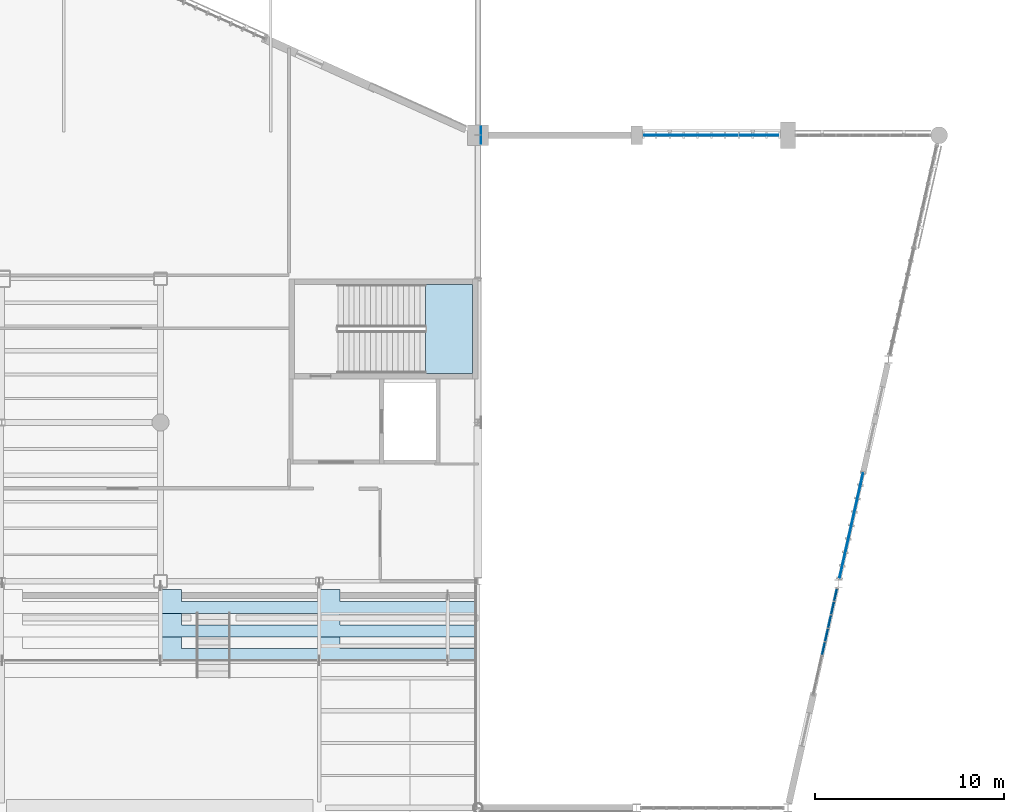
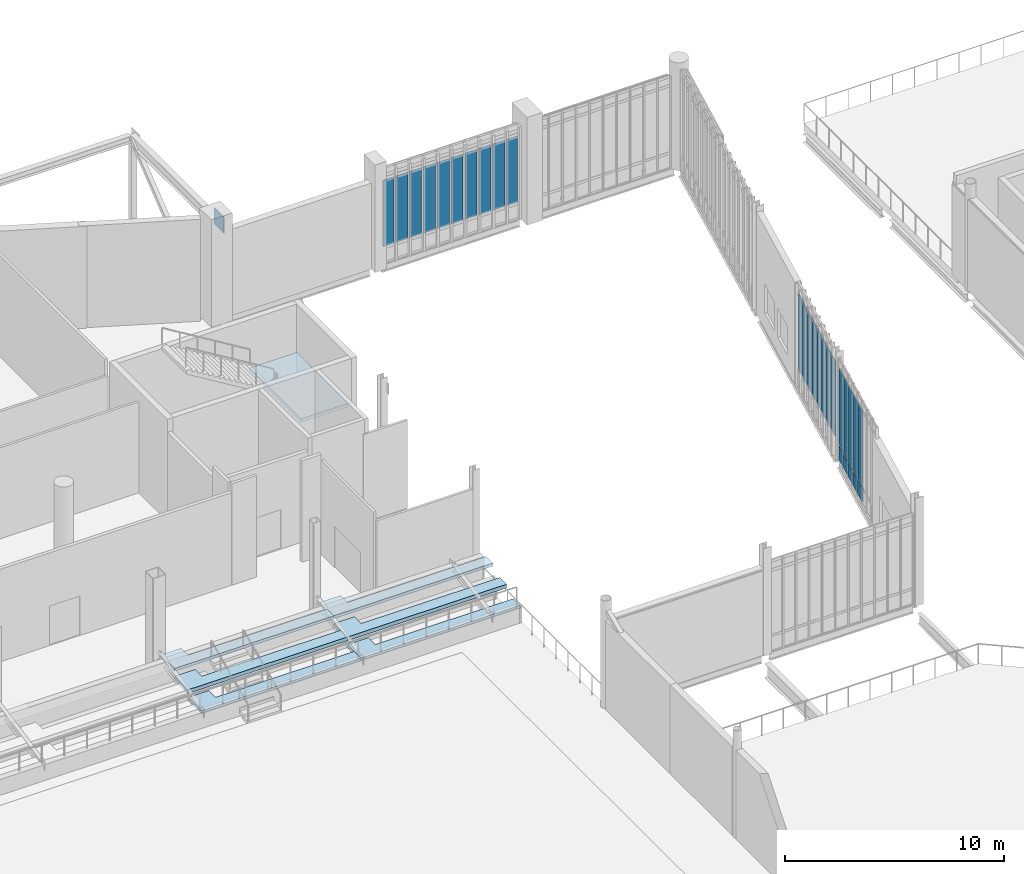
# One storey, part 76 of 135: 29 plates, 7 slabs, 4 elements without a shape of their own.
"""IFC4 building model written with IfcOpenShell, lengths in metres."""

from ifc_helpers import new_model, si_unit, direction, frame, origin, origin_2d, place, context, subcontext, project, spatial, polyline, rectangle, outline, extrude, material, layer, layer_set, type_object, element, aggregate, save


model = new_model("IFC4")

# Units and contexts
model_context = context("Model", 3, precision=1e-05, world=origin(), true_north=direction((0.0, 1.0)))
body_context = subcontext(model_context, "Body", "Model", "MODEL_VIEW")
ifc_project = project(units=[si_unit("LENGTHUNIT", "METRE"), si_unit("AREAUNIT", "SQUARE_METRE"), si_unit("VOLUMEUNIT", "CUBIC_METRE"), si_unit("PLANEANGLEUNIT", "RADIAN"), si_unit("MASSUNIT", "GRAM", prefix="KILO")], contexts=[model_context])

# Site, building, storey
site_placement = place(None, origin())
site = spatial("IfcSite", under=ifc_project, at=site_placement, CompositionType="ELEMENT")
building_placement = place(site_placement, origin())
building = spatial("IfcBuilding", under=site, at=building_placement, Name="Larkvane Passage Sports Hall", CompositionType="ELEMENT")
storey_placement = place(building_placement, frame((0.0, 0.0, 10.800048828125)))
storey = spatial("IfcBuildingStorey", under=building, at=storey_placement, Name="L02", CompositionType="ELEMENT", Elevation=10.800048828125)

# Curtain wall, plates
ifc_material_1 = material(Name="Thermally broken aluminium and low-E glazing", Category="aluminium")
curtain_wall_type_1 = type_object("IfcCurtainWallType", Name="CW-UNIT-COURT", PredefinedType="USERDEFINED", material=ifc_material_1)
curtain_wall_1_placement = place(storey_placement, origin())
curtain_wall_1 = element("IfcCurtainWall", 1, at=curtain_wall_1_placement, inside=storey, type_object=curtain_wall_type_1, Name="Curtain wall CW5-L02-084", ObjectType="UNITISED CURTAIN WALL", PredefinedType="USERDEFINED")
ifc_material_2 = material(Name="Insulated aluminium spandrel panel", Category="aluminium")
ifc_layer_1 = layer(ifc_material_2, 0.06494140625)
ifc_layer_set_1 = layer_set([ifc_layer_1], Name="Insulated aluminium spandrel panel")
plate_type_1 = type_object("IfcPlateType", Name="CWP-SPD-65", PredefinedType="CURTAIN_PANEL", material=ifc_layer_set_1)
plate_1_placement = place(storey_placement, frame((112.532470703125, 74.8701171875, 0.06005859375), z_axis=(0.0, 0.0, 1.0), x_axis=(-0.219243647747, -0.975670140428, 0.0)))
plate_1 = element("IfcPlate", 2, at=plate_1_placement, type_object=plate_type_1, Name="CW-01 panel 1.1", PredefinedType="CURTAIN_PANEL", context=body_context, shape_type="SweptSolid", body=[
    extrude(rectangle(XDim=0.64111328125, YDim=0.06494140625, at=origin_2d()), origin(), (0.0, 0.0, 1.0), 0.760009765625),
])
plate_2_placement = place(storey_placement, frame((112.37548828125, 74.17138671875, 0.06005859375), z_axis=(0.0, 0.0, 1.0), x_axis=(-0.219243647747, -0.975670140428, 0.0)))
plate_2 = element("IfcPlate", 3, at=plate_2_placement, type_object=plate_type_1, Name="CW-01 panel 2.1", PredefinedType="CURTAIN_PANEL", context=body_context, shape_type="SweptSolid", body=[
    extrude(rectangle(XDim=0.671142578125, YDim=0.06494140625, at=origin_2d()), origin(), (0.0, 0.0, 1.0), 0.760009765625),
])
plate_3_placement = place(storey_placement, frame((112.21533203125, 73.458251953125, 0.06005859375), z_axis=(0.0, 0.0, 1.0), x_axis=(-0.219243647747, -0.975670140428, 0.0)))
plate_3 = element("IfcPlate", 4, at=plate_3_placement, type_object=plate_type_1, Name="CW-01 panel 3.1", PredefinedType="CURTAIN_PANEL", context=body_context, shape_type="SweptSolid", body=[
    extrude(rectangle(XDim=0.671142578125, YDim=0.06494140625, at=origin_2d()), origin(), (0.0, 0.0, 1.0), 0.760009765625),
])
plate_4_placement = place(storey_placement, frame((112.054931640625, 72.744873046875, 0.06005859375), z_axis=(0.0, 0.0, 1.0), x_axis=(-0.219243647747, -0.975670140428, 0.0)))
plate_4 = element("IfcPlate", 5, at=plate_4_placement, type_object=plate_type_1, Name="CW-01 panel 4.1", PredefinedType="CURTAIN_PANEL", context=body_context, shape_type="SweptSolid", body=[
    extrude(rectangle(XDim=0.671142578125, YDim=0.06494140625, at=origin_2d()), origin(), (0.0, 0.0, 1.0), 0.760009765625),
])
plate_5_placement = place(storey_placement, frame((111.894775390625, 72.03173828125, 0.06005859375), z_axis=(0.0, 0.0, 1.0), x_axis=(-0.219243647747, -0.975670140428, 0.0)))
plate_5 = element("IfcPlate", 6, at=plate_5_placement, type_object=plate_type_1, Name="CW-01 panel 5.1", PredefinedType="CURTAIN_PANEL", context=body_context, shape_type="SweptSolid", body=[
    extrude(rectangle(XDim=0.671142578125, YDim=0.06494140625, at=origin_2d()), origin(), (0.0, 0.0, 1.0), 0.760009765625),
])
ifc_material_3 = material(Name="Solar-control low-E double glazing", Category="glass")
ifc_layer_2 = layer(ifc_material_3, 0.028076171875)
ifc_layer_set_2 = layer_set([ifc_layer_2], Name="Solar-control low-E double glazing")
plate_type_2 = type_object("IfcPlateType", Name="CWP-VIS-28", PredefinedType="CURTAIN_PANEL", material=ifc_layer_set_2)
plate_6_placement = place(storey_placement, frame((112.532470703125, 74.8701171875, 0.8798828125), z_axis=(0.0, 0.0, 1.0), x_axis=(-0.219243647747, -0.975670140428, 0.0)))
plate_6 = element("IfcPlate", 7, at=plate_6_placement, type_object=plate_type_2, Name="CW-01 panel 1.2", PredefinedType="CURTAIN_PANEL", context=body_context, shape_type="SweptSolid", body=[
    extrude(rectangle(XDim=0.64111328125, YDim=0.028076171875, at=origin_2d()), origin(), (0.0, 0.0, 1.0), 4.239990234375),
])
plate_7_placement = place(storey_placement, frame((112.37548828125, 74.17138671875, 0.8798828125), z_axis=(0.0, 0.0, 1.0), x_axis=(-0.219243647747, -0.975670140428, 0.0)))
plate_7 = element("IfcPlate", 8, at=plate_7_placement, type_object=plate_type_2, Name="CW-01 panel 2.2", PredefinedType="CURTAIN_PANEL", context=body_context, shape_type="SweptSolid", body=[
    extrude(rectangle(XDim=0.671142578125, YDim=0.028076171875, at=origin_2d()), origin(), (0.0, 0.0, 1.0), 4.239990234375),
])
plate_8_placement = place(storey_placement, frame((112.21533203125, 73.458251953125, 0.8798828125), z_axis=(0.0, 0.0, 1.0), x_axis=(-0.219243647747, -0.975670140428, 0.0)))
plate_8 = element("IfcPlate", 9, at=plate_8_placement, type_object=plate_type_2, Name="CW-01 panel 3.2", PredefinedType="CURTAIN_PANEL", context=body_context, shape_type="SweptSolid", body=[
    extrude(rectangle(XDim=0.671142578125, YDim=0.028076171875, at=origin_2d()), origin(), (0.0, 0.0, 1.0), 4.239990234375),
])
plate_9_placement = place(storey_placement, frame((112.054931640625, 72.744873046875, 0.8798828125), z_axis=(0.0, 0.0, 1.0), x_axis=(-0.219243647747, -0.975670140428, 0.0)))
plate_9 = element("IfcPlate", 10, at=plate_9_placement, type_object=plate_type_2, Name="CW-01 panel 4.2", PredefinedType="CURTAIN_PANEL", context=body_context, shape_type="SweptSolid", body=[
    extrude(rectangle(XDim=0.671142578125, YDim=0.028076171875, at=origin_2d()), origin(), (0.0, 0.0, 1.0), 4.239990234375),
])
plate_10_placement = place(storey_placement, frame((111.894775390625, 72.03173828125, 0.8798828125), z_axis=(0.0, 0.0, 1.0), x_axis=(-0.219243647747, -0.975670140428, 0.0)))
plate_10 = element("IfcPlate", 11, at=plate_10_placement, type_object=plate_type_2, Name="CW-01 panel 5.2", PredefinedType="CURTAIN_PANEL", context=body_context, shape_type="SweptSolid", body=[
    extrude(rectangle(XDim=0.671142578125, YDim=0.028076171875, at=origin_2d()), origin(), (0.0, 0.0, 1.0), 4.239990234375),
])
aggregate(curtain_wall_1, [plate_1, plate_6, plate_2, plate_7, plate_3, plate_8, plate_4, plate_9, plate_5, plate_10])

curtain_wall_type_2 = type_object("IfcCurtainWallType", Name="CW-CLINIC", PredefinedType="USERDEFINED", material=ifc_material_1)
curtain_wall_2_placement = place(storey_placement, origin())
curtain_wall_2 = element("IfcCurtainWall", 12, at=curtain_wall_2_placement, inside=storey, type_object=curtain_wall_type_2, Name="Curtain wall CW5-L02-079", ObjectType="UNITISED CURTAIN WALL", PredefinedType="USERDEFINED")
ifc_material_4 = material(Name="Triple-laminated typhoon glazing", Category="glass")
ifc_layer_3 = layer(ifc_material_4, 0.0419921875)
ifc_layer_set_3 = layer_set([ifc_layer_3], Name="Triple-laminated typhoon glazing")
plate_type_3 = type_object("IfcPlateType", Name="CWP-VIS-42", PredefinedType="CURTAIN_PANEL", material=ifc_layer_set_3)
plate_11_placement = place(storey_placement, frame((102.68896484375, 99.199951171875, 0.905029296875), z_axis=(0.0, 0.0, 1.0), x_axis=(1.0, 0.0, 0.0)))
plate_11 = element("IfcPlate", 13, at=plate_11_placement, type_object=plate_type_3, Name="CW-05 panel 1.2", PredefinedType="CURTAIN_PANEL", context=body_context, shape_type="SweptSolid", body=[
    extrude(rectangle(XDim=0.56591796875, YDim=0.0419921875, at=origin_2d()), origin(), (0.0, 0.0, 1.0), 3.68798828125),
])
plate_12_placement = place(storey_placement, frame((103.39208984375, 99.199951171875, 0.905029296875), z_axis=(0.0, 0.0, 1.0), x_axis=(1.0, 0.0, 0.0)))
plate_12 = element("IfcPlate", 14, at=plate_12_placement, type_object=plate_type_3, Name="CW-05 panel 2.2", PredefinedType="CURTAIN_PANEL", context=body_context, shape_type="SweptSolid", body=[
    extrude(rectangle(XDim=0.620849609375, YDim=0.0419921875, at=origin_2d()), origin(), (0.0, 0.0, 1.0), 3.68798828125),
])
plate_13_placement = place(storey_placement, frame((104.123046875, 99.199951171875, 0.905029296875), z_axis=(0.0, 0.0, 1.0), x_axis=(1.0, 0.0, 0.0)))
plate_13 = element("IfcPlate", 15, at=plate_13_placement, type_object=plate_type_3, Name="CW-05 panel 3.2", PredefinedType="CURTAIN_PANEL", context=body_context, shape_type="SweptSolid", body=[
    extrude(rectangle(XDim=0.620849609375, YDim=0.0419921875, at=origin_2d()), origin(), (0.0, 0.0, 1.0), 3.68798828125),
])
plate_14_placement = place(storey_placement, frame((104.853759765625, 99.199951171875, 0.905029296875), z_axis=(0.0, 0.0, 1.0), x_axis=(1.0, 0.0, 0.0)))
plate_14 = element("IfcPlate", 16, at=plate_14_placement, type_object=plate_type_3, Name="CW-05 panel 4.2", PredefinedType="CURTAIN_PANEL", context=body_context, shape_type="SweptSolid", body=[
    extrude(rectangle(XDim=0.620849609375, YDim=0.0419921875, at=origin_2d()), origin(), (0.0, 0.0, 1.0), 3.68798828125),
])
plate_15_placement = place(storey_placement, frame((105.584716796875, 99.199951171875, 0.905029296875), z_axis=(0.0, 0.0, 1.0), x_axis=(1.0, 0.0, 0.0)))
plate_15 = element("IfcPlate", 17, at=plate_15_placement, type_object=plate_type_3, Name="CW-05 panel 5.2", PredefinedType="CURTAIN_PANEL", context=body_context, shape_type="SweptSolid", body=[
    extrude(rectangle(XDim=0.620849609375, YDim=0.0419921875, at=origin_2d()), origin(), (0.0, 0.0, 1.0), 3.68798828125),
])
plate_16_placement = place(storey_placement, frame((106.3154296875, 99.199951171875, 0.905029296875), z_axis=(0.0, 0.0, 1.0), x_axis=(1.0, 0.0, 0.0)))
plate_16 = element("IfcPlate", 18, at=plate_16_placement, type_object=plate_type_3, Name="CW-05 panel 6.2", PredefinedType="CURTAIN_PANEL", context=body_context, shape_type="SweptSolid", body=[
    extrude(rectangle(XDim=0.620849609375, YDim=0.0419921875, at=origin_2d()), origin(), (0.0, 0.0, 1.0), 3.68798828125),
])
plate_17_placement = place(storey_placement, frame((107.046142578125, 99.199951171875, 0.905029296875), z_axis=(0.0, 0.0, 1.0), x_axis=(1.0, 0.0, 0.0)))
plate_17 = element("IfcPlate", 19, at=plate_17_placement, type_object=plate_type_3, Name="CW-05 panel 7.2", PredefinedType="CURTAIN_PANEL", context=body_context, shape_type="SweptSolid", body=[
    extrude(rectangle(XDim=0.620849609375, YDim=0.0419921875, at=origin_2d()), origin(), (0.0, 0.0, 1.0), 3.68798828125),
])
plate_18_placement = place(storey_placement, frame((107.777099609375, 99.199951171875, 0.905029296875), z_axis=(0.0, 0.0, 1.0), x_axis=(1.0, 0.0, 0.0)))
plate_18 = element("IfcPlate", 20, at=plate_18_placement, type_object=plate_type_3, Name="CW-05 panel 8.2", PredefinedType="CURTAIN_PANEL", context=body_context, shape_type="SweptSolid", body=[
    extrude(rectangle(XDim=0.620849609375, YDim=0.0419921875, at=origin_2d()), origin(), (0.0, 0.0, 1.0), 3.68798828125),
])
plate_19_placement = place(storey_placement, frame((108.5078125, 99.199951171875, 0.905029296875), z_axis=(0.0, 0.0, 1.0), x_axis=(1.0, 0.0, 0.0)))
plate_19 = element("IfcPlate", 21, at=plate_19_placement, type_object=plate_type_3, Name="CW-05 panel 9.2", PredefinedType="CURTAIN_PANEL", context=body_context, shape_type="SweptSolid", body=[
    extrude(rectangle(XDim=0.620849609375, YDim=0.0419921875, at=origin_2d()), origin(), (0.0, 0.0, 1.0), 3.68798828125),
])
plate_20_placement = place(storey_placement, frame((109.211181640625, 99.199951171875, 0.905029296875), z_axis=(0.0, 0.0, 1.0), x_axis=(1.0, 0.0, 0.0)))
plate_20 = element("IfcPlate", 22, at=plate_20_placement, type_object=plate_type_3, Name="CW-05 panel 10.2", PredefinedType="CURTAIN_PANEL", context=body_context, shape_type="SweptSolid", body=[
    extrude(rectangle(XDim=0.56591796875, YDim=0.0419921875, at=origin_2d()), origin(), (0.0, 0.0, 1.0), 3.68798828125),
])
aggregate(curtain_wall_2, [plate_11, plate_12, plate_13, plate_14, plate_15, plate_16, plate_17, plate_18, plate_19, plate_20])

curtain_wall_3_placement = place(storey_placement, origin())
curtain_wall_3 = element("IfcCurtainWall", 23, at=curtain_wall_3_placement, inside=storey, type_object=curtain_wall_type_2, Name="Curtain wall CW5-L02-083", ObjectType="UNITISED CURTAIN WALL", PredefinedType="USERDEFINED")
plate_21_placement = place(storey_placement, frame((113.91455078125, 81.019287109375, 0.89990234375), z_axis=(0.0, 0.0, 1.0), x_axis=(-0.219244189156, -0.975670018767, 0.0)))
plate_21 = element("IfcPlate", 24, at=plate_21_placement, type_object=plate_type_3, Name="CW-05 panel 1.2", PredefinedType="CURTAIN_PANEL", context=body_context, shape_type="SweptSolid", body=[
    extrude(rectangle(XDim=0.580322265625, YDim=0.0419921875, at=origin_2d()), origin(), (0.0, 0.0, 1.0), 4.199951171875),
])
plate_22_placement = place(storey_placement, frame((113.759765625, 80.331298828125, 0.89990234375), z_axis=(0.0, 0.0, 1.0), x_axis=(-0.219244189156, -0.975670018767, 0.0)))
plate_22 = element("IfcPlate", 25, at=plate_22_placement, type_object=plate_type_3, Name="CW-05 panel 2.2", PredefinedType="CURTAIN_PANEL", context=body_context, shape_type="SweptSolid", body=[
    extrude(rectangle(XDim=0.63037109375, YDim=0.0419921875, at=origin_2d()), origin(), (0.0, 0.0, 1.0), 4.199951171875),
])
plate_23_placement = place(storey_placement, frame((113.599609375, 79.61865234375, 0.89990234375), z_axis=(0.0, 0.0, 1.0), x_axis=(-0.219244189156, -0.975670018767, 0.0)))
plate_23 = element("IfcPlate", 26, at=plate_23_placement, type_object=plate_type_3, Name="CW-05 panel 3.2", PredefinedType="CURTAIN_PANEL", context=body_context, shape_type="SweptSolid", body=[
    extrude(rectangle(XDim=0.63037109375, YDim=0.0419921875, at=origin_2d()), origin(), (0.0, 0.0, 1.0), 4.199951171875),
])
plate_24_placement = place(storey_placement, frame((113.439697265625, 78.90625, 0.89990234375), z_axis=(0.0, 0.0, 1.0), x_axis=(-0.219244189156, -0.975670018767, 0.0)))
plate_24 = element("IfcPlate", 27, at=plate_24_placement, type_object=plate_type_3, Name="CW-05 panel 4.2", PredefinedType="CURTAIN_PANEL", context=body_context, shape_type="SweptSolid", body=[
    extrude(rectangle(XDim=0.63037109375, YDim=0.0419921875, at=origin_2d()), origin(), (0.0, 0.0, 1.0), 4.199951171875),
])
plate_25_placement = place(storey_placement, frame((113.279541015625, 78.193603515625, 0.89990234375), z_axis=(0.0, 0.0, 1.0), x_axis=(-0.219244189156, -0.975670018767, 0.0)))
plate_25 = element("IfcPlate", 28, at=plate_25_placement, type_object=plate_type_3, Name="CW-05 panel 5.2", PredefinedType="CURTAIN_PANEL", context=body_context, shape_type="SweptSolid", body=[
    extrude(rectangle(XDim=0.63037109375, YDim=0.0419921875, at=origin_2d()), origin(), (0.0, 0.0, 1.0), 4.199951171875),
])
plate_26_placement = place(storey_placement, frame((113.119384765625, 77.481201171875, 0.89990234375), z_axis=(0.0, 0.0, 1.0), x_axis=(-0.219244189156, -0.975670018767, 0.0)))
plate_26 = element("IfcPlate", 29, at=plate_26_placement, type_object=plate_type_3, Name="CW-05 panel 6.2", PredefinedType="CURTAIN_PANEL", context=body_context, shape_type="SweptSolid", body=[
    extrude(rectangle(XDim=0.63037109375, YDim=0.0419921875, at=origin_2d()), origin(), (0.0, 0.0, 1.0), 4.199951171875),
])
plate_27_placement = place(storey_placement, frame((112.959228515625, 76.7685546875, 0.89990234375), z_axis=(0.0, 0.0, 1.0), x_axis=(-0.219244189156, -0.975670018767, 0.0)))
plate_27 = element("IfcPlate", 30, at=plate_27_placement, type_object=plate_type_3, Name="CW-05 panel 7.2", PredefinedType="CURTAIN_PANEL", context=body_context, shape_type="SweptSolid", body=[
    extrude(rectangle(XDim=0.63037109375, YDim=0.0419921875, at=origin_2d()), origin(), (0.0, 0.0, 1.0), 4.199951171875),
])
plate_28_placement = place(storey_placement, frame((112.8046875, 76.08056640625, 0.89990234375), z_axis=(0.0, 0.0, 1.0), x_axis=(-0.219244189156, -0.975670018767, 0.0)))
plate_28 = element("IfcPlate", 31, at=plate_28_placement, type_object=plate_type_3, Name="CW-05 panel 8.2", PredefinedType="CURTAIN_PANEL", context=body_context, shape_type="SweptSolid", body=[
    extrude(rectangle(XDim=0.580322265625, YDim=0.0419921875, at=origin_2d()), origin(), (0.0, 0.0, 1.0), 4.199951171875),
])
aggregate(curtain_wall_3, [plate_21, plate_22, plate_23, plate_24, plate_25, plate_26, plate_27, plate_28])

# Plate
ifc_material_5 = material(Name="Steel S460N", Category="steel")
ifc_layer_4 = layer(ifc_material_5, 0.031982421875)
ifc_layer_set_4 = layer_set([ifc_layer_4], Name="Steel S460N")
plate_type_4 = type_object("IfcPlateType", Name="PLT-GUS-32", PredefinedType="USERDEFINED", material=ifc_layer_set_4)
plate_29_placement = place(storey_placement, frame((93.76611328125, 99.199951171875, 4.93603515625), z_axis=(0.0, 0.0, 1.0), x_axis=(0.0, 1.0, 0.0)))
element("IfcPlate", 32, at=plate_29_placement, inside=storey, type_object=plate_type_4, Name="Truss node gusset plate ND-3T (CT-N2A-2)", ObjectType="GUSSET PLATE", PredefinedType="USERDEFINED", context=body_context, shape_type="SweptSolid", body=[
    extrude(rectangle(XDim=0.89990234375, YDim=0.031982421875, at=origin_2d()), origin(), (0.0, 0.0, 1.0), 0.89990234375),
])

# Stair, slab
ifc_material_6 = material(Name="Concrete C40/50", Category="concrete")
stair_type = type_object("IfcStairType", Name="STR-CORE-2250", PredefinedType="HALF_TURN_STAIR", material=ifc_material_6)
stair_placement = place(storey_placement, origin())
stair = element("IfcStair", 33, at=stair_placement, inside=storey, type_object=stair_type, Name="L02 Protected exit stair ST-03", PredefinedType="HALF_TURN_STAIR")
ifc_layer_5 = layer(ifc_material_6, 0.199951171875)
ifc_layer_set_5 = layer_set([ifc_layer_5], Name="Concrete C40/50")
slab_type_1 = type_object("IfcSlabType", Name="SLB-LAND-200", PredefinedType="LANDING", material=ifc_layer_set_5)
slab_1_placement = place(storey_placement, frame((0.0, 0.0, 2.800048828125)))
slab_1 = element("IfcSlab", 34, at=slab_1_placement, type_object=slab_type_1, Name="ST-03 landing 1", PredefinedType="LANDING", context=body_context, shape_type="SweptSolid", body=[
    extrude(outline(polyline([(90.820068359375, 86.60009765625), (93.300048828125, 86.60009765625), (93.300048828125, 91.300048828125), (90.820068359375, 91.300048828125), (90.820068359375, 86.60009765625)])), origin(), (0.0, 0.0, 1.0), 0.199951171875),
])
aggregate(stair, [slab_1])

# Slabs
ifc_material_7 = material(Name="Precast concrete C45/55", Category="concrete")
ifc_layer_6 = layer(ifc_material_7, 0.159912109375)
ifc_layer_set_6 = layer_set([ifc_layer_6], Name="Precast concrete C45/55")
slab_type_2 = type_object("IfcSlabType", Name="SLB-TIER-160", PredefinedType="USERDEFINED", material=ifc_layer_set_6)
slab_2_placement = place(storey_placement, frame((0.0, 0.0, 0.68994140625)))
element("IfcSlab", 35, at=slab_2_placement, inside=storey, type_object=slab_type_2, Name="Spectator Stand Tier N6-1", ObjectType="SEATING TIER", PredefinedType="USERDEFINED", context=body_context, shape_type="SweptSolid", body=[
    extrude(outline(polyline([(76.800048828125, 71.39990234375), (85.199951171875, 71.39990234375), (85.199951171875, 72.02490234375), (77.89990234375, 72.02490234375), (77.89990234375, 72.64990234375), (76.800048828125, 72.64990234375), (76.800048828125, 71.39990234375)])), origin(), (0.0, 0.0, 1.0), 0.159912109375),
])
slab_3_placement = place(storey_placement, frame((0.0, 0.0, 1.530029296875)))
element("IfcSlab", 36, at=slab_3_placement, inside=storey, type_object=slab_type_2, Name="Spectator Stand Tier N6-3", ObjectType="SEATING TIER", PredefinedType="USERDEFINED", context=body_context, shape_type="SweptSolid", body=[
    extrude(outline(polyline([(76.800048828125, 73.89990234375), (85.199951171875, 73.89990234375), (85.199951171875, 74.52490234375), (77.89990234375, 74.52490234375), (77.89990234375, 75.14990234375), (76.800048828125, 75.14990234375), (76.800048828125, 73.89990234375)])), origin(), (0.0, 0.0, 1.0), 0.159912109375),
])
slab_4_placement = place(storey_placement, frame((0.0, 0.0, 0.68994140625)))
element("IfcSlab", 37, at=slab_4_placement, inside=storey, type_object=slab_type_2, Name="Spectator Stand Tier N7-1", ObjectType="SEATING TIER", PredefinedType="USERDEFINED", context=body_context, shape_type="SweptSolid", body=[
    extrude(outline(polyline([(85.199951171875, 71.39990234375), (93.60009765625, 71.39990234375), (93.60009765625, 72.02490234375), (86.300048828125, 72.02490234375), (86.300048828125, 72.64990234375), (85.199951171875, 72.64990234375), (85.199951171875, 71.39990234375)])), origin(), (0.0, 0.0, 1.0), 0.159912109375),
])
slab_5_placement = place(storey_placement, frame((0.0, 0.0, 1.530029296875)))
element("IfcSlab", 38, at=slab_5_placement, inside=storey, type_object=slab_type_2, Name="Spectator Stand Tier N7-3", ObjectType="SEATING TIER", PredefinedType="USERDEFINED", context=body_context, shape_type="SweptSolid", body=[
    extrude(outline(polyline([(85.199951171875, 73.89990234375), (93.60009765625, 73.89990234375), (93.60009765625, 74.52490234375), (86.300048828125, 74.52490234375), (86.300048828125, 75.14990234375), (85.199951171875, 75.14990234375), (85.199951171875, 73.89990234375)])), origin(), (0.0, 0.0, 1.0), 0.159912109375),
])
ifc_layer_7 = layer(ifc_material_7, 0.205078125)
ifc_layer_set_7 = layer_set([ifc_layer_7], Name="Precast concrete C45/55")
slab_type_3 = type_object("IfcSlabType", Name="SLB-TIER-205", PredefinedType="USERDEFINED", material=ifc_layer_set_7)
slab_6_placement = place(storey_placement, frame((0.0, 0.0, 1.06494140625)))
element("IfcSlab", 39, at=slab_6_placement, inside=storey, type_object=slab_type_3, Name="Spectator Stand Tier N6-2", ObjectType="SEATING TIER", PredefinedType="USERDEFINED", context=body_context, shape_type="SweptSolid", body=[
    extrude(outline(polyline([(76.800048828125, 72.64990234375), (85.199951171875, 72.64990234375), (85.199951171875, 73.27490234375), (77.89990234375, 73.27490234375), (77.89990234375, 73.89990234375), (76.800048828125, 73.89990234375), (76.800048828125, 72.64990234375)])), origin(), (0.0, 0.0, 1.0), 0.205078125),
])
slab_7_placement = place(storey_placement, frame((0.0, 0.0, 1.06494140625)))
element("IfcSlab", 40, at=slab_7_placement, inside=storey, type_object=slab_type_3, Name="Spectator Stand Tier N7-2", ObjectType="SEATING TIER", PredefinedType="USERDEFINED", context=body_context, shape_type="SweptSolid", body=[
    extrude(outline(polyline([(85.199951171875, 72.64990234375), (93.60009765625, 72.64990234375), (93.60009765625, 73.27490234375), (86.300048828125, 73.27490234375), (86.300048828125, 73.89990234375), (85.199951171875, 73.89990234375), (85.199951171875, 72.64990234375)])), origin(), (0.0, 0.0, 1.0), 0.205078125),
])

save(model, "model.ifc")
